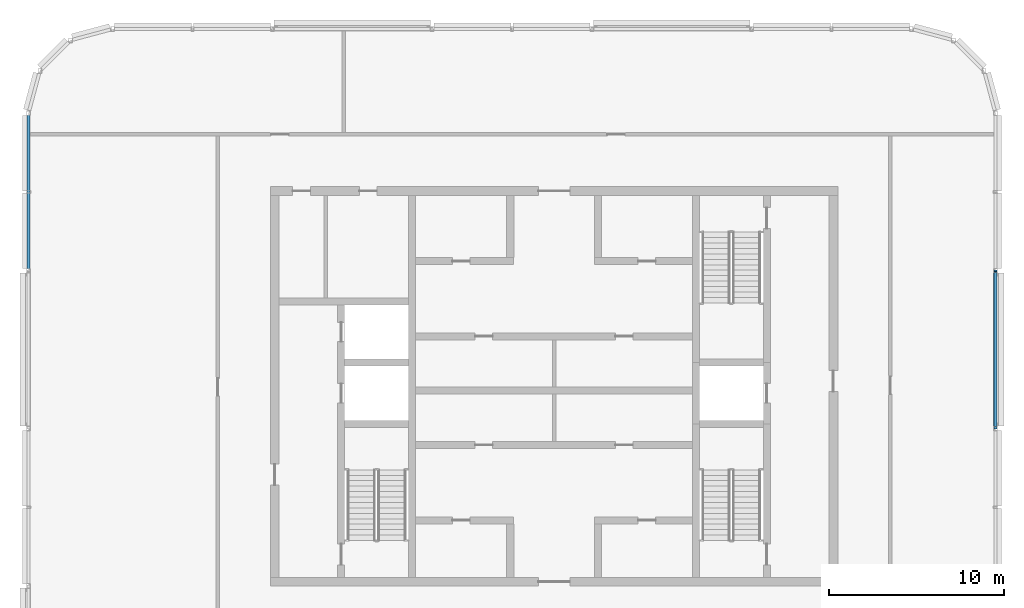
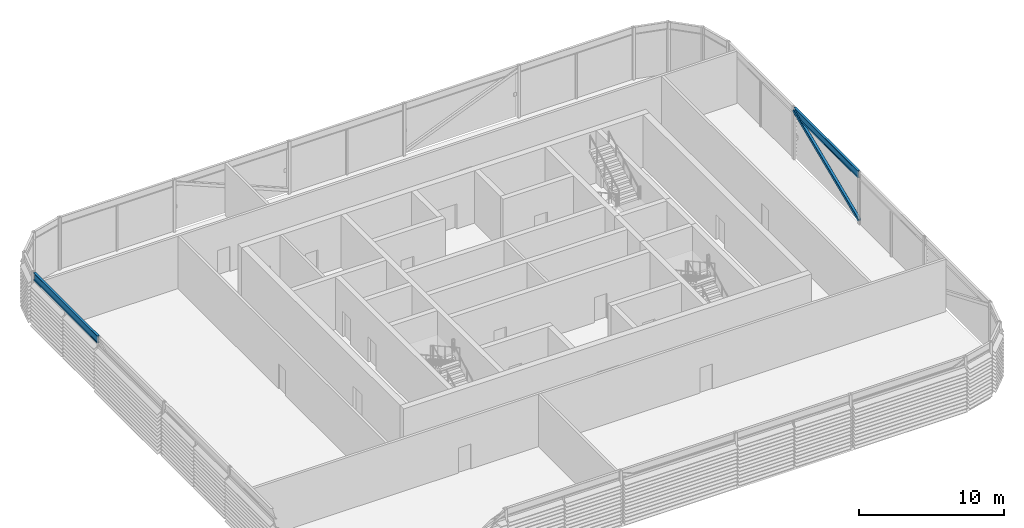
# One storey, part 10 of 27: 2 beams, 1 member.
"""IFC4 building model written with IfcOpenShell, lengths in metres."""

import ifcopenshell
import ifcopenshell.guid

model = None  # the IFC model being written
_history = None  # IfcOwnerHistory: only IFC2X3 demands one
_inside = {}  # id of a spatial element -> (the spatial element, [elements in it])
_under = {}  # id of a project, library or spatial element -> (it, [spatial elements below it])
_declared = {}  # id of a project -> (the project, [libraries it declares])
_typed = {}  # id of a type object -> (the type object, [elements of that type])
_made_of = {}  # id of a material, layer set ... -> (it, [elements and type objects made of it])


def new_model(schema):
    """Start an empty IFC model of exactly this schema.

    Asked for "IFC4X3", IfcOpenShell would pick the latest addendum, in which some entities
    have other attributes; the version numbers below select the first issue.
    IFC2X3 requires an IfcOwnerHistory on every rooted entity: one is made here for all.
    """
    global model, _history
    if schema == "IFC4X3":
        model = ifcopenshell.file(schema_version=(4, 3, 0, 0))
    else:
        model = ifcopenshell.file(schema=schema)
    _inside.clear()
    _under.clear()
    _declared.clear()
    _typed.clear()
    _made_of.clear()
    _history = None
    if model.schema == "IFC2X3":
        org = make("IfcOrganization", Name="unknown")
        user = make(
            "IfcPersonAndOrganization",
            ThePerson=make("IfcPerson", FamilyName="unknown"),
            TheOrganization=org,
        )
        app = make(
            "IfcApplication",
            ApplicationDeveloper=org,
            Version="unknown",
            ApplicationFullName="unknown",
            ApplicationIdentifier="unknown",
        )
        _history = make(
            "IfcOwnerHistory",
            OwningUser=user,
            OwningApplication=app,
            ChangeAction="ADDED",
            CreationDate=0,
        )
    return model


def make(cls, **values):
    """One entity of the class cls with the attributes given. An attribute that is None is left unset."""
    return model.create_entity(
        cls, **{name: value for name, value in values.items() if value is not None}
    )


def rooted(cls, **values):
    """An entity with a GlobalId (a new one), such as an element, a storey or a relation."""
    return make(cls, GlobalId=ifcopenshell.guid.new(), OwnerHistory=_history, **values)


def si_unit(unit_type, name, prefix=None):
    """IfcSIUnit, for example si_unit("LENGTHUNIT", "METRE", prefix="MILLI")."""
    return make("IfcSIUnit", UnitType=unit_type, Prefix=prefix, Name=name)


def assignment(units):
    """IfcUnitAssignment: the units of a project."""
    return None if units is None else make("IfcUnitAssignment", Units=units)


def point(xyz):
    """IfcCartesianPoint."""
    return None if xyz is None else make("IfcCartesianPoint", Coordinates=xyz)


def direction(xyz):
    """IfcDirection."""
    return None if xyz is None else make("IfcDirection", DirectionRatios=xyz)


def frame(location, z_axis=None, x_axis=None):
    """IfcAxis2Placement3D, a coordinate frame: its origin and axes. An axis left out is left unset."""
    return make(
        "IfcAxis2Placement3D",
        Location=point(location),
        Axis=direction(z_axis),
        RefDirection=direction(x_axis),
    )


def frame_2d(location, x_axis=None):
    """IfcAxis2Placement2D, a coordinate frame in the plane: its origin and x axis."""
    return make(
        "IfcAxis2Placement2D", Location=point(location), RefDirection=direction(x_axis)
    )


def origin():
    """The frame at (0, 0, 0) with its axes left unset."""
    return frame((0.0, 0.0, 0.0))


def origin_2d():
    """The frame at (0, 0) in the plane with its x axis left unset."""
    return frame_2d((0.0, 0.0))


def place(relative_to, where):
    """IfcLocalPlacement: puts the frame where relative to a parent placement (None: the world)."""
    return make(
        "IfcLocalPlacement", PlacementRelTo=relative_to, RelativePlacement=where
    )


def context(
    kind, dimensions, precision=None, world=None, true_north=None, identifier=None
):
    """IfcGeometricRepresentationContext, for example the 3D "Model" context."""
    return make(
        "IfcGeometricRepresentationContext",
        ContextIdentifier=identifier,
        ContextType=kind,
        CoordinateSpaceDimension=dimensions,
        Precision=precision,
        WorldCoordinateSystem=world,
        TrueNorth=true_north,
    )


def subcontext(parent, identifier, kind, view, scale=None):
    """IfcGeometricRepresentationSubContext, for example "Body" below "Model"."""
    return make(
        "IfcGeometricRepresentationSubContext",
        ContextIdentifier=identifier,
        ContextType=kind,
        ParentContext=parent,
        TargetScale=scale,
        TargetView=view,
    )


def project(units=None, contexts=None):
    """IfcProject with its units and contexts."""
    return rooted(
        "IfcProject",
        Name="project",
        RepresentationContexts=contexts,
        UnitsInContext=assignment(units),
    )


def spatial(cls, under=None, at=None, **own):
    """A site, building, storey or space (cls), placed at a placement, below another one or the project."""
    s = rooted(cls, ObjectPlacement=at, **own)
    if under is not None:
        _under.setdefault(under.id(), (under, []))[1].append(s)
    return s


def profile(cls, at=None, kind="AREA", **sizes):
    """A parametric profile (cls). Its sizes go by their IFC names, for example OverallWidth=200.0."""
    return make(cls, ProfileType=kind, Position=at, **sizes)


def hollow_rectangle(**sizes):
    """IfcRectangleHollowProfileDef."""
    return profile("IfcRectangleHollowProfileDef", **sizes)


def i_section(**sizes):
    """IfcIShapeProfileDef."""
    return profile("IfcIShapeProfileDef", **sizes)


def extrude(swept, where, along, depth):
    """IfcExtrudedAreaSolid: the profile swept, set in the frame where, extruded along a direction by depth."""
    return make(
        "IfcExtrudedAreaSolid",
        SweptArea=swept,
        Position=where,
        ExtrudedDirection=direction(along),
        Depth=depth,
    )


def shape(context_of_items, identifier, shape_type, items):
    """IfcShapeRepresentation: the items that make up one representation, for example the "Body"."""
    return make(
        "IfcShapeRepresentation",
        ContextOfItems=context_of_items,
        RepresentationIdentifier=identifier,
        RepresentationType=shape_type,
        Items=items,
    )


def material(Name=None, Category=None):
    """IfcMaterial."""
    return make("IfcMaterial", Name=Name, Category=Category)


def material_profile(
    of_material, cross_section, Name=None, Category=None, Priority=None
):
    """IfcMaterialProfile: a cross section and its material."""
    return make(
        "IfcMaterialProfile",
        Name=Name,
        Material=of_material,
        Profile=cross_section,
        Priority=Priority,
        Category=Category,
    )


def profile_set(profiles, Name=None, composite=None):
    """IfcMaterialProfileSet."""
    return make(
        "IfcMaterialProfileSet",
        Name=Name,
        MaterialProfiles=profiles,
        CompositeProfile=composite,
    )


def made_of(thing, what):
    """Note that an element or type object is made of a material, layer set ...; save() writes the relation."""
    if what is not None:
        _made_of.setdefault(what.id(), (what, []))[1].append(thing)
    return thing


def type_object(cls, material=None, **own):
    """A type object (cls), such as IfcWallType, which elements share."""
    return made_of(rooted(cls, **own), material)


def element(
    cls,
    number,
    at=None,
    inside=None,
    cuts=None,
    type_object=None,
    material=None,
    context=None,
    identifier="Body",
    shape_type=None,
    held_by="IfcProductDefinitionShape",
    body=None,
    shapes=None,
    **own,
):
    """One element of the class cls, such as IfcWall. Its Tag is "e" and its number.

    at: its placement. inside: the storey or other place that contains it. cuts: it is an
    opening in that element (IfcRelVoidsElement). A single representation is given by context,
    identifier, shape_type and body (its items); several are given by shapes. held_by: the class
    of the entity that holds the representations. save() writes the other relations.
    """
    e = rooted(cls, Tag="e%d" % number, ObjectPlacement=at, **own)
    if body is not None:
        shapes = [shape(context, identifier, shape_type, body)]
    if shapes is not None:
        e.Representation = make(held_by, Representations=shapes)
    if inside is not None:
        _inside.setdefault(inside.id(), (inside, []))[1].append(e)
    if cuts is not None:
        rooted(
            "IfcRelVoidsElement", RelatingBuildingElement=cuts, RelatedOpeningElement=e
        )
    if type_object is not None:
        _typed.setdefault(type_object.id(), (type_object, []))[1].append(e)
    return made_of(e, material)


def aggregate(whole, parts):
    """IfcRelAggregates: a whole, such as a stair, and the parts it consists of."""
    return rooted("IfcRelAggregates", RelatingObject=whole, RelatedObjects=parts)


def save(model, path):
    """Write the relations noted so far, then the file.

    IfcRelAggregates (storeys below a building ...), IfcRelContainedInSpatialStructure (elements
    in a storey), IfcRelDefinesByType, IfcRelAssociatesMaterial and IfcRelDeclares: one each for
    every whole, place, type object, material and project.
    """
    for whole, parts in _under.values():
        aggregate(whole, parts)
    for where, things in _inside.values():
        rooted(
            "IfcRelContainedInSpatialStructure",
            RelatedElements=things,
            RelatingStructure=where,
        )
    for kind, things in _typed.values():
        rooted("IfcRelDefinesByType", RelatedObjects=things, RelatingType=kind)
    for what, things in _made_of.values():
        rooted("IfcRelAssociatesMaterial", RelatedObjects=things, RelatingMaterial=what)
    for by, libraries in _declared.values():
        rooted("IfcRelDeclares", RelatingContext=by, RelatedDefinitions=libraries)
    model.write(path)


model = new_model("IFC4")

# Units and contexts
model_context = context("Model", 3, precision=1e-05, world=origin(), true_north=direction((0.0, 1.0)))
body_context = subcontext(model_context, "Body", "Model", "MODEL_VIEW")
ifc_project = project(units=[si_unit("LENGTHUNIT", "METRE"), si_unit("AREAUNIT", "SQUARE_METRE"), si_unit("VOLUMEUNIT", "CUBIC_METRE"), si_unit("PLANEANGLEUNIT", "RADIAN"), si_unit("MASSUNIT", "GRAM", prefix="KILO")], contexts=[model_context])

# Site, building, storey
site_placement = place(None, origin())
site = spatial("IfcSite", under=ifc_project, at=site_placement, CompositionType="ELEMENT")
building_placement = place(site_placement, origin())
building = spatial("IfcBuilding", under=site, at=building_placement, Name="Madar Terraces", CompositionType="ELEMENT")
storey_placement = place(building_placement, frame((0.0, 0.0, 301.10009765625)))
storey = spatial("IfcBuildingStorey", under=building, at=storey_placement, Name="L78", CompositionType="ELEMENT", Elevation=301.10009765625)

# Beams
ifc_material_1 = material(Name="Steel ASTM A992 Grade 50", Category="steel")
ifc_material_profile_1 = material_profile(ifc_material_1, i_section(OverallWidth=0.1787109375, OverallDepth=0.60205078125, WebThickness=0.010986328125, FlangeThickness=0.014892578125, at=origin_2d()), Name="W24x62")
ifc_profile_set_1 = profile_set([ifc_material_profile_1], Name="Steel ASTM A992 Grade 50")
beam_type = type_object("IfcBeamType", Name="CF2 W24x62", PredefinedType="BEAM", material=ifc_profile_set_1)
for number, where, z_axis, x_axis, name in (
    (1, (56.39990234375, 24.1015625, 4.098876953125), (0.0, 1.0, 0.0), (-1.0, 0.0, 0.0), "Crown frame ring beam CF2"),
    (2, (1.199951171875, 41.8984375, 4.098876953125), (0.0, -1.0, 0.0), (1.0, 0.0, 0.0), "Crown frame ring beam CF2"),
):
    element("IfcBeam", number, at=place(storey_placement, frame(where, z_axis=z_axis, x_axis=x_axis)), inside=storey, type_object=beam_type, Name=name, PredefinedType="BEAM", context=body_context, shape_type="SweptSolid", body=[
        extrude(i_section(OverallWidth=0.1787109375, OverallDepth=0.60205078125, WebThickness=0.010986328125, FlangeThickness=0.014892578125, at=origin_2d()), origin(), (0.0, 0.0, 1.0), 8.796875),
    ])

# Member
ifc_material_2 = material(Name="Steel ASTM A500 Grade C", Category="steel")
ifc_material_profile_2 = material_profile(ifc_material_2, hollow_rectangle(XDim=0.203125, YDim=0.25390625, WallThickness=0.009521484375, InnerFilletRadius=0.00439453125, OuterFilletRadius=0.01318359375, at=origin_2d()), Name="HSS10x8x.375")
ifc_profile_set_2 = profile_set([ifc_material_profile_2], Name="Steel ASTM A500 Grade C")
member_type = type_object("IfcMemberType", Name="CF5 crown frame brace HSS10x8x.375", PredefinedType="BRACE", material=ifc_profile_set_2)
member_placement = place(storey_placement, frame((56.39990234375, 24.0, 0.2998046875), z_axis=(0.0, 0.921283588528, 0.388891436661), x_axis=(-1.0, 0.0, 0.0)))
element("IfcMember", 3, at=member_placement, inside=storey, type_object=member_type, Name="Crown frame brace CF5", PredefinedType="BRACE", context=body_context, shape_type="SweptSolid", body=[
    extrude(hollow_rectangle(XDim=0.203125, YDim=0.25390625, WallThickness=0.009521484375, InnerFilletRadius=0.00439453125, OuterFilletRadius=0.01318359375, at=origin_2d()), origin(), (0.0, 0.0, 1.0), 9.76904296875),
])

save(model, "model.ifc")
